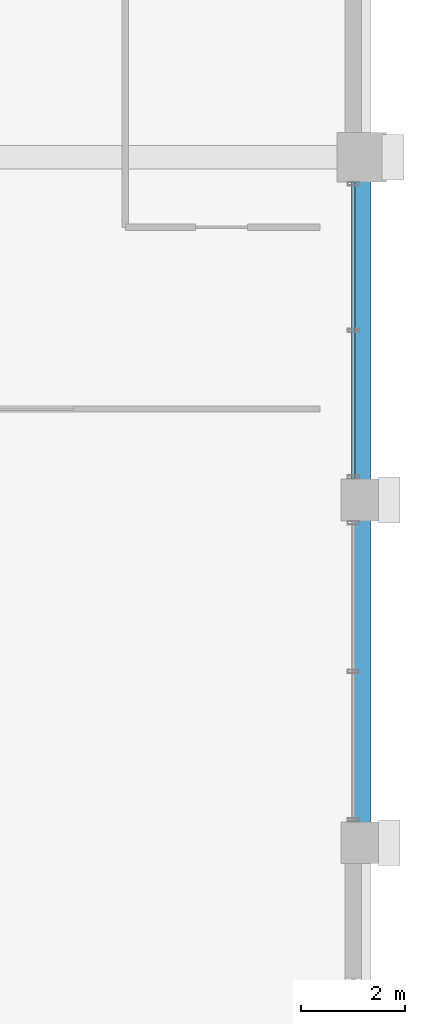
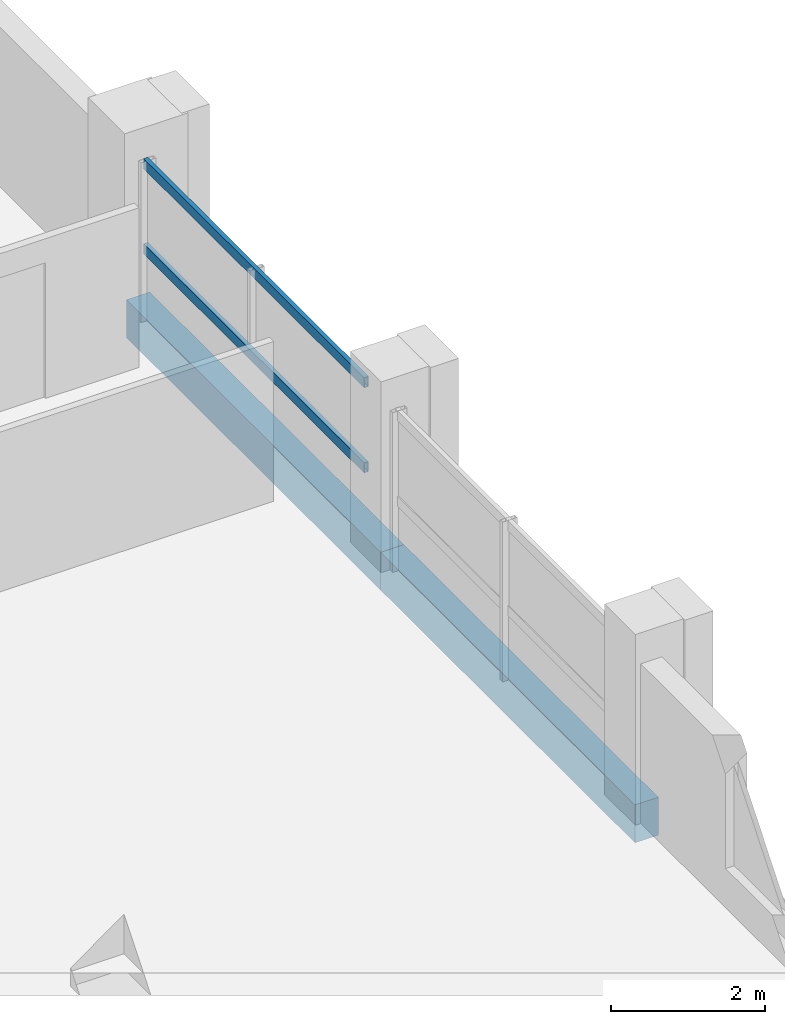
# One storey, part 10 of 23: 2 beams, 2 members, 1 element without a shape of its own.
"""IFC4 building model written with IfcOpenShell, lengths in metres."""

from ifc_helpers import new_model, si_unit, direction, frame, origin, origin_2d, place, context, subcontext, project, spatial, rectangle, hollow_rectangle, extrude, material, material_profile, profile_set, type_object, element, aggregate, save


model = new_model("IFC4")

# Units and contexts
model_context = context("Model", 3, precision=1e-05, world=origin(), true_north=direction((0.0, 1.0)))
body_context = subcontext(model_context, "Body", "Model", "MODEL_VIEW")
ifc_project = project(units=[si_unit("LENGTHUNIT", "METRE"), si_unit("AREAUNIT", "SQUARE_METRE"), si_unit("VOLUMEUNIT", "CUBIC_METRE"), si_unit("PLANEANGLEUNIT", "RADIAN"), si_unit("MASSUNIT", "GRAM", prefix="KILO")], contexts=[model_context])

# Site, building, storey
site_placement = place(None, origin())
site = spatial("IfcSite", under=ifc_project, at=site_placement, CompositionType="ELEMENT")
building_placement = place(site_placement, origin())
building = spatial("IfcBuilding", under=site, at=building_placement, Name="Akrevak Sports Hall", CompositionType="ELEMENT")
storey_placement = place(building_placement, frame((0.0, 0.0, 43.800048828125)))
storey = spatial("IfcBuildingStorey", under=building, at=storey_placement, Name="L10", CompositionType="ELEMENT", Elevation=43.800048828125)

# Curtain wall, members
ifc_material_1 = material(Name="Anodized Bronze Aluminium & Low-E Glass", Category="aluminium")
curtain_wall_type = type_object("IfcCurtainWallType", Name="ARC-CW-TWR-64x30", PredefinedType="NOTDEFINED", material=ifc_material_1)
curtain_wall_placement = place(storey_placement, origin())
curtain_wall = element("IfcCurtainWall", 1, at=curtain_wall_placement, inside=storey, type_object=curtain_wall_type, Name="Curtain Wall CW-L10-E14", PredefinedType="NOTDEFINED")
ifc_material_2 = material(Name="Anodized Bronze Aluminium", Category="aluminium")
ifc_material_profile_1 = material_profile(ifc_material_2, hollow_rectangle(XDim=0.06494140625, YDim=0.159912109375, WallThickness=0.00390625, at=origin_2d()), Name="CWT 65x160", Category="aluminium")
ifc_profile_set_1 = profile_set([ifc_material_profile_1], Name="Anodized Bronze Aluminium")
member_type = type_object("IfcMemberType", Name="ARC-CWT-70x130", PredefinedType="USERDEFINED", material=ifc_profile_set_1)
member_1_placement = place(storey_placement, frame((107.840087890625, 49.0, 1.099853515625), z_axis=(0.0, 1.0, 0.0), x_axis=(-1.0, 0.0, 0.0)))
member_1 = element("IfcMember", 2, at=member_1_placement, type_object=member_type, Name="Curtain Wall Transom CW-L10-E14-T1", ObjectType="TRANSOM", PredefinedType="USERDEFINED", context=body_context, shape_type="SweptSolid", body=[
    extrude(hollow_rectangle(XDim=0.06494140625, YDim=0.159912109375, WallThickness=0.00390625, at=origin_2d()), origin(), (0.0, 0.0, 1.0), 5.72509765625),
])
member_2_placement = place(storey_placement, frame((107.840087890625, 49.0, 2.449951171875), z_axis=(0.0, 1.0, 0.0), x_axis=(-1.0, 0.0, 0.0)))
member_2 = element("IfcMember", 3, at=member_2_placement, type_object=member_type, Name="Curtain Wall Transom CW-L10-E14-T2", ObjectType="TRANSOM", PredefinedType="USERDEFINED", context=body_context, shape_type="SweptSolid", body=[
    extrude(hollow_rectangle(XDim=0.06494140625, YDim=0.159912109375, WallThickness=0.00390625, at=origin_2d()), origin(), (0.0, 0.0, 1.0), 5.72509765625),
])
aggregate(curtain_wall, [member_1, member_2])

# Beams
ifc_material_3 = material(Name="Concrete C40/50", Category="concrete")
ifc_material_profile_2 = material_profile(ifc_material_3, rectangle(XDim=0.35009765625, YDim=0.60009765625, at=origin_2d()), Name="BM 350x600", Category="concrete")
ifc_profile_set_2 = profile_set([ifc_material_profile_2], Name="Concrete C40/50")
beam_type = type_object("IfcBeamType", Name="STR-BM-RC350x600", PredefinedType="BEAM", material=ifc_profile_set_2)
beam_1_placement = place(storey_placement, frame((108.0, 42.0, -0.300048828125), z_axis=(0.0, 1.0, 0.0), x_axis=(-1.0, 0.0, 0.0)))
element("IfcBeam", 4, at=beam_1_placement, inside=storey, type_object=beam_type, Name="Girder 15/G-H (L10)", PredefinedType="BEAM", context=body_context, shape_type="SweptSolid", body=[
    extrude(rectangle(XDim=0.35009765625, YDim=0.60009765625, at=origin_2d()), origin(), (0.0, 0.0, 1.0), 6.60009765625),
])
beam_2_placement = place(storey_placement, frame((108.0, 48.60009765625, -0.300048828125), z_axis=(0.0, 1.0, 0.0), x_axis=(-1.0, 0.0, 0.0)))
element("IfcBeam", 5, at=beam_2_placement, inside=storey, type_object=beam_type, Name="Girder 15/H-I (L10)", PredefinedType="BEAM", context=body_context, shape_type="SweptSolid", body=[
    extrude(rectangle(XDim=0.35009765625, YDim=0.60009765625, at=origin_2d()), origin(), (0.0, 0.0, 1.0), 6.599853515625),
])

save(model, "model.ifc")
